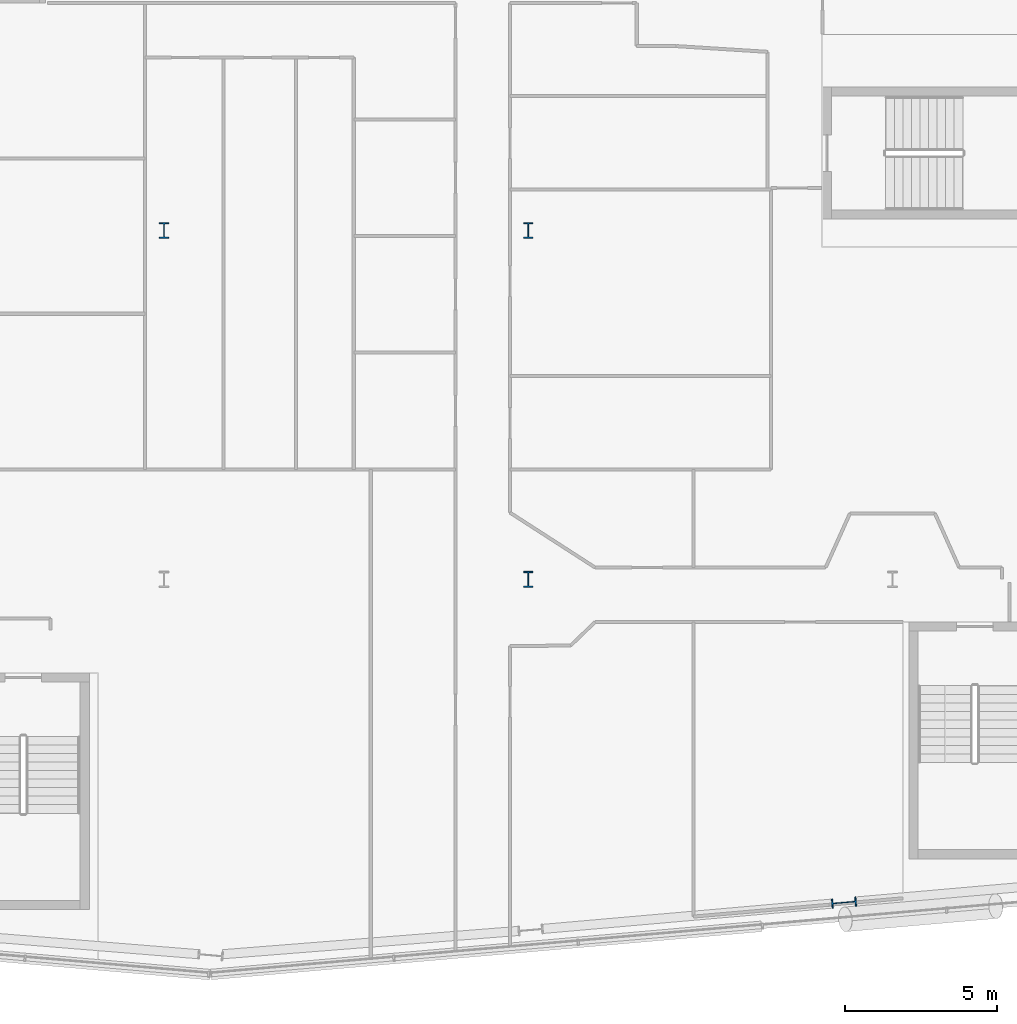
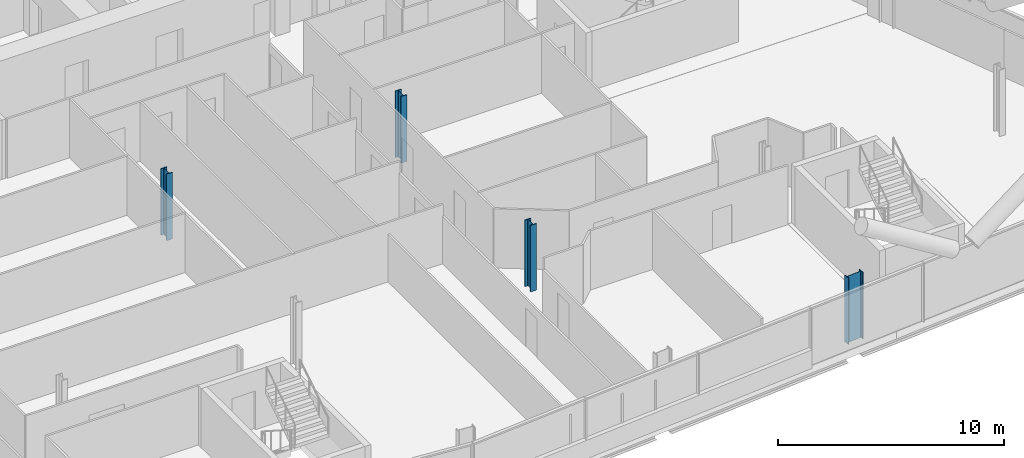
# One storey, part 2 of 27: 4 columns.
"""IFC4 building model written with IfcOpenShell, lengths in metres."""

import ifcopenshell
import ifcopenshell.guid

model = None  # the IFC model being written
_history = None  # IfcOwnerHistory: only IFC2X3 demands one
_inside = {}  # id of a spatial element -> (the spatial element, [elements in it])
_under = {}  # id of a project, library or spatial element -> (it, [spatial elements below it])
_declared = {}  # id of a project -> (the project, [libraries it declares])
_typed = {}  # id of a type object -> (the type object, [elements of that type])
_made_of = {}  # id of a material, layer set ... -> (it, [elements and type objects made of it])


def new_model(schema):
    """Start an empty IFC model of exactly this schema.

    Asked for "IFC4X3", IfcOpenShell would pick the latest addendum, in which some entities
    have other attributes; the version numbers below select the first issue.
    IFC2X3 requires an IfcOwnerHistory on every rooted entity: one is made here for all.
    """
    global model, _history
    if schema == "IFC4X3":
        model = ifcopenshell.file(schema_version=(4, 3, 0, 0))
    else:
        model = ifcopenshell.file(schema=schema)
    _inside.clear()
    _under.clear()
    _declared.clear()
    _typed.clear()
    _made_of.clear()
    _history = None
    if model.schema == "IFC2X3":
        org = make("IfcOrganization", Name="unknown")
        user = make(
            "IfcPersonAndOrganization",
            ThePerson=make("IfcPerson", FamilyName="unknown"),
            TheOrganization=org,
        )
        app = make(
            "IfcApplication",
            ApplicationDeveloper=org,
            Version="unknown",
            ApplicationFullName="unknown",
            ApplicationIdentifier="unknown",
        )
        _history = make(
            "IfcOwnerHistory",
            OwningUser=user,
            OwningApplication=app,
            ChangeAction="ADDED",
            CreationDate=0,
        )
    return model


def make(cls, **values):
    """One entity of the class cls with the attributes given. An attribute that is None is left unset."""
    return model.create_entity(
        cls, **{name: value for name, value in values.items() if value is not None}
    )


def rooted(cls, **values):
    """An entity with a GlobalId (a new one), such as an element, a storey or a relation."""
    return make(cls, GlobalId=ifcopenshell.guid.new(), OwnerHistory=_history, **values)


def si_unit(unit_type, name, prefix=None):
    """IfcSIUnit, for example si_unit("LENGTHUNIT", "METRE", prefix="MILLI")."""
    return make("IfcSIUnit", UnitType=unit_type, Prefix=prefix, Name=name)


def assignment(units):
    """IfcUnitAssignment: the units of a project."""
    return None if units is None else make("IfcUnitAssignment", Units=units)


def point(xyz):
    """IfcCartesianPoint."""
    return None if xyz is None else make("IfcCartesianPoint", Coordinates=xyz)


def direction(xyz):
    """IfcDirection."""
    return None if xyz is None else make("IfcDirection", DirectionRatios=xyz)


def frame(location, z_axis=None, x_axis=None):
    """IfcAxis2Placement3D, a coordinate frame: its origin and axes. An axis left out is left unset."""
    return make(
        "IfcAxis2Placement3D",
        Location=point(location),
        Axis=direction(z_axis),
        RefDirection=direction(x_axis),
    )


def frame_2d(location, x_axis=None):
    """IfcAxis2Placement2D, a coordinate frame in the plane: its origin and x axis."""
    return make(
        "IfcAxis2Placement2D", Location=point(location), RefDirection=direction(x_axis)
    )


def origin():
    """The frame at (0, 0, 0) with its axes left unset."""
    return frame((0.0, 0.0, 0.0))


def origin_2d():
    """The frame at (0, 0) in the plane with its x axis left unset."""
    return frame_2d((0.0, 0.0))


def place(relative_to, where):
    """IfcLocalPlacement: puts the frame where relative to a parent placement (None: the world)."""
    return make(
        "IfcLocalPlacement", PlacementRelTo=relative_to, RelativePlacement=where
    )


def context(
    kind, dimensions, precision=None, world=None, true_north=None, identifier=None
):
    """IfcGeometricRepresentationContext, for example the 3D "Model" context."""
    return make(
        "IfcGeometricRepresentationContext",
        ContextIdentifier=identifier,
        ContextType=kind,
        CoordinateSpaceDimension=dimensions,
        Precision=precision,
        WorldCoordinateSystem=world,
        TrueNorth=true_north,
    )


def subcontext(parent, identifier, kind, view, scale=None):
    """IfcGeometricRepresentationSubContext, for example "Body" below "Model"."""
    return make(
        "IfcGeometricRepresentationSubContext",
        ContextIdentifier=identifier,
        ContextType=kind,
        ParentContext=parent,
        TargetScale=scale,
        TargetView=view,
    )


def project(units=None, contexts=None):
    """IfcProject with its units and contexts."""
    return rooted(
        "IfcProject",
        Name="project",
        RepresentationContexts=contexts,
        UnitsInContext=assignment(units),
    )


def spatial(cls, under=None, at=None, **own):
    """A site, building, storey or space (cls), placed at a placement, below another one or the project."""
    s = rooted(cls, ObjectPlacement=at, **own)
    if under is not None:
        _under.setdefault(under.id(), (under, []))[1].append(s)
    return s


def profile(cls, at=None, kind="AREA", **sizes):
    """A parametric profile (cls). Its sizes go by their IFC names, for example OverallWidth=200.0."""
    return make(cls, ProfileType=kind, Position=at, **sizes)


def i_section(**sizes):
    """IfcIShapeProfileDef."""
    return profile("IfcIShapeProfileDef", **sizes)


def extrude(swept, where, along, depth):
    """IfcExtrudedAreaSolid: the profile swept, set in the frame where, extruded along a direction by depth."""
    return make(
        "IfcExtrudedAreaSolid",
        SweptArea=swept,
        Position=where,
        ExtrudedDirection=direction(along),
        Depth=depth,
    )


def shape(context_of_items, identifier, shape_type, items):
    """IfcShapeRepresentation: the items that make up one representation, for example the "Body"."""
    return make(
        "IfcShapeRepresentation",
        ContextOfItems=context_of_items,
        RepresentationIdentifier=identifier,
        RepresentationType=shape_type,
        Items=items,
    )


def material(Name=None, Category=None):
    """IfcMaterial."""
    return make("IfcMaterial", Name=Name, Category=Category)


def material_profile(
    of_material, cross_section, Name=None, Category=None, Priority=None
):
    """IfcMaterialProfile: a cross section and its material."""
    return make(
        "IfcMaterialProfile",
        Name=Name,
        Material=of_material,
        Profile=cross_section,
        Priority=Priority,
        Category=Category,
    )


def profile_set(profiles, Name=None, composite=None):
    """IfcMaterialProfileSet."""
    return make(
        "IfcMaterialProfileSet",
        Name=Name,
        MaterialProfiles=profiles,
        CompositeProfile=composite,
    )


def made_of(thing, what):
    """Note that an element or type object is made of a material, layer set ...; save() writes the relation."""
    if what is not None:
        _made_of.setdefault(what.id(), (what, []))[1].append(thing)
    return thing


def type_object(cls, material=None, **own):
    """A type object (cls), such as IfcWallType, which elements share."""
    return made_of(rooted(cls, **own), material)


def element(
    cls,
    number,
    at=None,
    inside=None,
    cuts=None,
    type_object=None,
    material=None,
    context=None,
    identifier="Body",
    shape_type=None,
    held_by="IfcProductDefinitionShape",
    body=None,
    shapes=None,
    **own,
):
    """One element of the class cls, such as IfcWall. Its Tag is "e" and its number.

    at: its placement. inside: the storey or other place that contains it. cuts: it is an
    opening in that element (IfcRelVoidsElement). A single representation is given by context,
    identifier, shape_type and body (its items); several are given by shapes. held_by: the class
    of the entity that holds the representations. save() writes the other relations.
    """
    e = rooted(cls, Tag="e%d" % number, ObjectPlacement=at, **own)
    if body is not None:
        shapes = [shape(context, identifier, shape_type, body)]
    if shapes is not None:
        e.Representation = make(held_by, Representations=shapes)
    if inside is not None:
        _inside.setdefault(inside.id(), (inside, []))[1].append(e)
    if cuts is not None:
        rooted(
            "IfcRelVoidsElement", RelatingBuildingElement=cuts, RelatedOpeningElement=e
        )
    if type_object is not None:
        _typed.setdefault(type_object.id(), (type_object, []))[1].append(e)
    return made_of(e, material)


def aggregate(whole, parts):
    """IfcRelAggregates: a whole, such as a stair, and the parts it consists of."""
    return rooted("IfcRelAggregates", RelatingObject=whole, RelatedObjects=parts)


def save(model, path):
    """Write the relations noted so far, then the file.

    IfcRelAggregates (storeys below a building ...), IfcRelContainedInSpatialStructure (elements
    in a storey), IfcRelDefinesByType, IfcRelAssociatesMaterial and IfcRelDeclares: one each for
    every whole, place, type object, material and project.
    """
    for whole, parts in _under.values():
        aggregate(whole, parts)
    for where, things in _inside.values():
        rooted(
            "IfcRelContainedInSpatialStructure",
            RelatedElements=things,
            RelatingStructure=where,
        )
    for kind, things in _typed.values():
        rooted("IfcRelDefinesByType", RelatedObjects=things, RelatingType=kind)
    for what, things in _made_of.values():
        rooted("IfcRelAssociatesMaterial", RelatedObjects=things, RelatingMaterial=what)
    for by, libraries in _declared.values():
        rooted("IfcRelDeclares", RelatingContext=by, RelatedDefinitions=libraries)
    model.write(path)


model = new_model("IFC4")

# Units and contexts
model_context = context("Model", 3, precision=1e-05, world=origin(), true_north=direction((0.0, 1.0)))
body_context = subcontext(model_context, "Body", "Model", "MODEL_VIEW")
ifc_project = project(units=[si_unit("LENGTHUNIT", "METRE"), si_unit("AREAUNIT", "SQUARE_METRE"), si_unit("VOLUMEUNIT", "CUBIC_METRE"), si_unit("PLANEANGLEUNIT", "RADIAN"), si_unit("MASSUNIT", "GRAM", prefix="KILO")], contexts=[model_context])

# Site, building, storey
site_placement = place(None, origin())
site = spatial("IfcSite", under=ifc_project, at=site_placement, CompositionType="ELEMENT")
building_placement = place(site_placement, origin())
building = spatial("IfcBuilding", under=site, at=building_placement, Name="Wharfspan Tower", CompositionType="ELEMENT")
storey_placement = place(building_placement, frame((0.0, 0.0, 118.300049)))
storey = spatial("IfcBuildingStorey", under=building, at=storey_placement, Name="L27", CompositionType="ELEMENT", Elevation=118.300049)

# Columns
ifc_material = material(Name="Steel S355J2", Category="steel")
ifc_material_profile_1 = material_profile(ifc_material, i_section(OverallWidth=0.305908, OverallDepth=0.523926, WebThickness=0.020996, FlangeThickness=0.040039, FilletRadius=0.0271, at=origin_2d()))
ifc_profile_set_1 = profile_set([ifc_material_profile_1], Name="Steel S355J2")
column_type_1 = type_object("IfcColumnType", Name="Column HEM 500", PredefinedType="COLUMN", material=ifc_profile_set_1)
for number, where, z_axis, x_axis, name in (
    (1, (60.0, 11.5, 0.0), (0.0, 0.0, 1.0), (1.0, 0.0, 0.0), "Interior column I.1.5 L27"),
    (2, (48.0, 23.0, 0.0), (0.0, 0.0, 1.0), (1.0, 0.0, 0.0), "Interior column I.2.3 L27"),
    (3, (60.0, 23.0, 0.0), (0.0, 0.0, 1.0), (1.0, 0.0, 0.0), "Interior column I.2.4 L27"),
):
    element("IfcColumn", number, at=place(storey_placement, frame(where, z_axis=z_axis, x_axis=x_axis)), inside=storey, type_object=column_type_1, Name=name, PredefinedType="COLUMN", context=body_context, shape_type="SweptSolid", body=[
        extrude(i_section(OverallWidth=0.305908, OverallDepth=0.523926, WebThickness=0.020996, FlangeThickness=0.040039, FilletRadius=0.0271, at=origin_2d()), origin(), (0.0, 0.0, 1.0), 3.599854),
    ])
ifc_material_profile_2 = material_profile(ifc_material, i_section(OverallWidth=0.302979, OverallDepth=0.813965, WebThickness=0.020996, FlangeThickness=0.040039, FilletRadius=0.030029, at=origin_2d()))
ifc_profile_set_2 = profile_set([ifc_material_profile_2], Name="Steel S355J2")
column_type_2 = type_object("IfcColumnType", Name="Column HEM 800", PredefinedType="COLUMN", material=ifc_profile_set_2)
column_placement = place(storey_placement, frame((70.404053, 0.852783, 0.0), z_axis=(0.0, 0.0, 1.0), x_axis=(0.087156, -0.996198, 0.0)))
element("IfcColumn", 4, at=column_placement, inside=storey, type_object=column_type_2, Name="Perimeter column PS2.2 L27", PredefinedType="COLUMN", context=body_context, shape_type="SweptSolid", body=[
    extrude(i_section(OverallWidth=0.302979, OverallDepth=0.813965, WebThickness=0.020996, FlangeThickness=0.040039, FilletRadius=0.030029, at=origin_2d()), origin(), (0.0, 0.0, 1.0), 3.599854),
])

save(model, "model.ifc")
